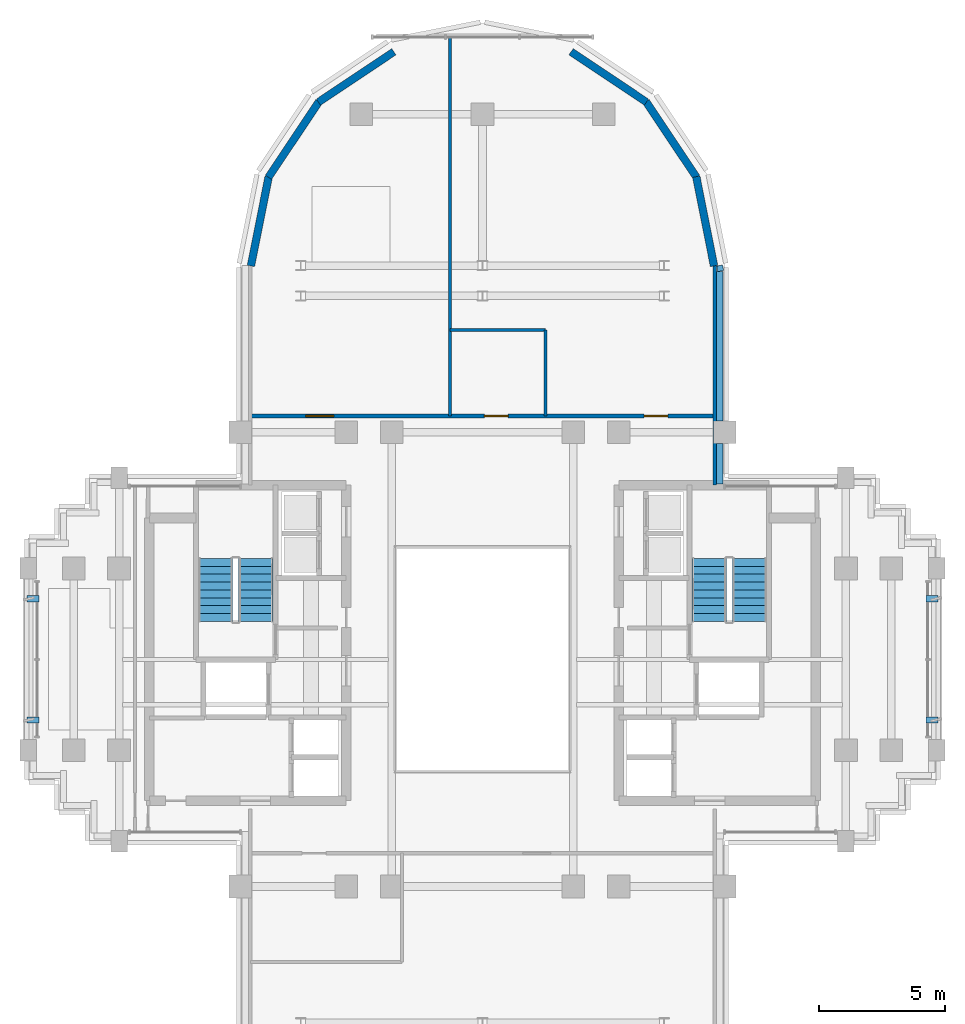
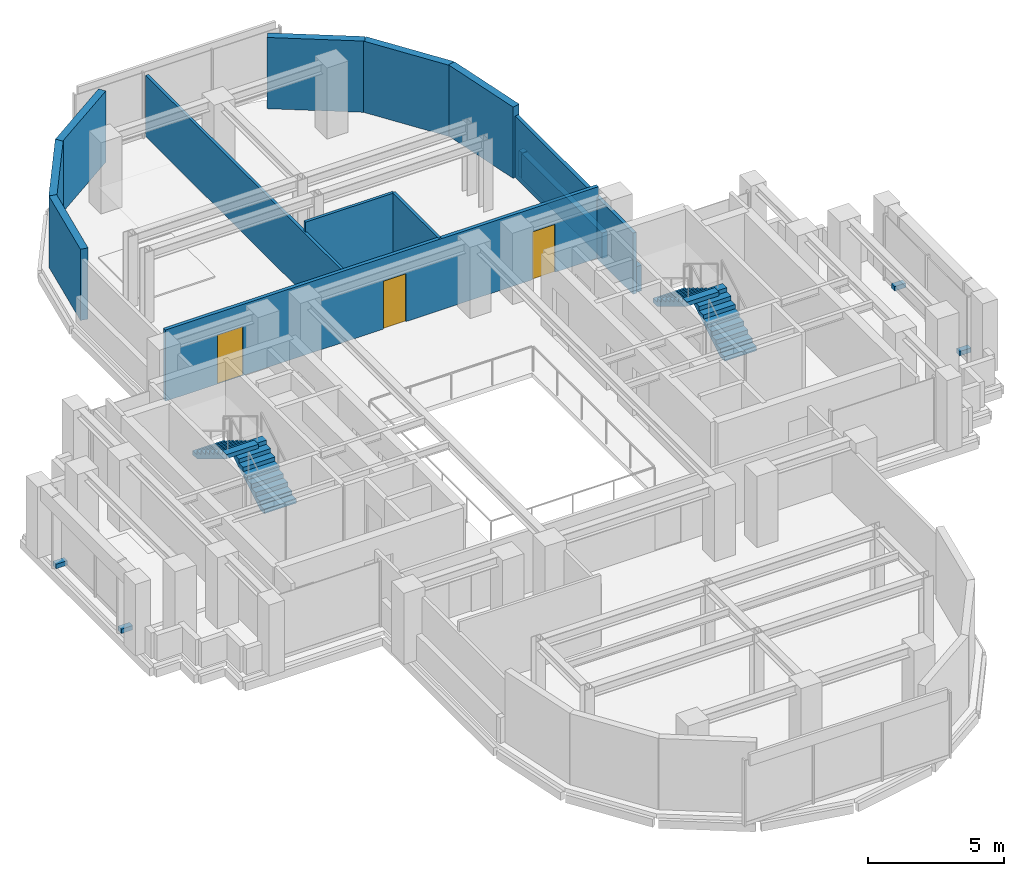
# One storey, part 8 of 12: 14 walls, 4 discrete accessories, 4 stair flights, 3 doors, 3 openings, 2 elements without a shape of their own.
"""IFC4 building model written with IfcOpenShell, lengths in metres."""

from ifc_helpers import new_model, si_unit, direction, frame, frame_2d, origin, origin_2d, place, context, subcontext, project, spatial, polyline, rectangle, outline, extrude, source, transform, mapped, material, layer, layer_set, type_object, element, fill, aggregate, save


model = new_model("IFC4")

# Units and contexts
model_context = context("Model", 3, precision=1e-05, world=origin(), true_north=direction((0.0, 1.0)))
body_context = subcontext(model_context, "Body", "Model", "MODEL_VIEW")
ifc_project = project(units=[si_unit("LENGTHUNIT", "METRE"), si_unit("AREAUNIT", "SQUARE_METRE"), si_unit("VOLUMEUNIT", "CUBIC_METRE"), si_unit("PLANEANGLEUNIT", "RADIAN"), si_unit("MASSUNIT", "GRAM", prefix="KILO")], contexts=[model_context])

# Site, building, storey
site_placement = place(None, origin())
site = spatial("IfcSite", under=ifc_project, at=site_placement, CompositionType="ELEMENT")
building_placement = place(site_placement, origin())
building = spatial("IfcBuilding", under=site, at=building_placement, Name="Keilestroom Media Tower", CompositionType="ELEMENT")
storey_placement = place(building_placement, frame((0.0, 0.0, 177.39990234375)))
storey = spatial("IfcBuildingStorey", under=building, at=storey_placement, Name="L48", CompositionType="ELEMENT", Elevation=177.39990234375)

# Walls
ifc_material_1 = material(Name="Precast concrete C40/50", Category="concrete")
ifc_layer_1 = layer(ifc_material_1, 0.300048828125)
ifc_layer_set_1 = layer_set([ifc_layer_1], Name="Precast concrete C40/50")
wall_type_1 = type_object("IfcWallType", Name="Exterior-Masonry-Spandrel-Wall-300", PredefinedType="SOLIDWALL", material=ifc_layer_set_1)
for number, where, z_axis, x_axis, name in (
    (1, (9.1748046875, 15.585205078125, 0.0), (0.0, 0.0, 1.0), (-0.195114232679, 0.980780523974, 0.0), "L48 Lobe Facet Precast Frame Wall 01"),
    (2, (8.48193359375, 19.097412109375, 0.0), (0.0, 0.0, 1.0), (-0.555574187116, 0.831466970246, 0.0), "L48 Lobe Facet Precast Frame Wall 02"),
):
    element("IfcWall", number, at=place(storey_placement, frame(where, z_axis=z_axis, x_axis=x_axis)), inside=storey, type_object=wall_type_1, Name=name, PredefinedType="SOLIDWALL", context=body_context, shape_type="SweptSolid", body=[
        extrude(rectangle(XDim=3.608642578125, YDim=0.300048828125, at=frame_2d((1.80419921875, 0.0))), origin(), (0.0, 0.0, 1.0), 3.2001953125),
    ])
for number, where, z_axis, x_axis, name in (
    (3, (6.497802734375, 22.0771484375, 0.0), (0.0, 0.0, 1.0), (-0.8314749531, 0.555562239868, 0.0), "L48 Lobe Facet Precast Frame Wall 03"),
    (4, (-3.510009765625, 24.073486328125, 0.0), (0.0, 0.0, 1.0), (-0.8314749531, -0.555562239868, 0.0), "L48 Lobe Facet Precast Frame Wall 04"),
):
    element("IfcWall", number, at=place(storey_placement, frame(where, z_axis=z_axis, x_axis=x_axis)), inside=storey, type_object=wall_type_1, Name=name, PredefinedType="SOLIDWALL", context=body_context, shape_type="SweptSolid", body=[
        extrude(rectangle(XDim=3.59326171875, YDim=0.300048828125, at=frame_2d((1.796630859375, 0.0))), origin(), (0.0, 0.0, 1.0), 3.2001953125),
    ])
for number, where, z_axis, x_axis, name in (
    (5, (-6.47705078125, 22.097900390625, 0.0), (0.0, 0.0, 1.0), (-0.555574187116, -0.831466970246, 0.0), "L48 Lobe Facet Precast Frame Wall 05"),
    (6, (-8.470703125, 19.12451171875, 0.0), (0.0, 0.0, 1.0), (-0.195114232679, -0.980780523974, 0.0), "L48 Lobe Facet Precast Frame Wall 06"),
):
    element("IfcWall", number, at=place(storey_placement, frame(where, z_axis=z_axis, x_axis=x_axis)), inside=storey, type_object=wall_type_1, Name=name, PredefinedType="SOLIDWALL", context=body_context, shape_type="SweptSolid", body=[
        extrude(rectangle(XDim=3.608642578125, YDim=0.300048828125, at=frame_2d((1.80419921875, 0.0))), origin(), (0.0, 0.0, 1.0), 3.2001953125),
    ])
ifc_material_2 = material(Name="Gypsum Plasterboard & Steel Stud", Category="steel")
ifc_layer_2 = layer(ifc_material_2, 0.1201171875)
ifc_layer_set_2 = layer_set([ifc_layer_2], Name="Gypsum Plasterboard & Steel Stud")
wall_type_2 = type_object("IfcWallType", Name="Interior-Partition-Wall-120", PredefinedType="PARTITIONING", material=ifc_layer_set_2)
wall_1_placement = place(storey_placement, frame((-1.280029296875, 9.639892578125, 0.0), z_axis=(0.0, 0.0, 1.0), x_axis=(0.0, 1.0, 0.0)))
element("IfcWall", 7, at=wall_1_placement, inside=storey, type_object=wall_type_2, Name="L48 Interior Wall WP-L48-NL-V1", PredefinedType="PARTITIONING", context=body_context, shape_type="SweptSolid", body=[
    extrude(rectangle(XDim=15.010009765625, YDim=0.1201171875, at=frame_2d((7.5048828125, 0.0))), origin(), (0.0, 0.0, 1.0), 2.75),
])
wall_2_placement = place(storey_placement, frame((-1.280029296875, 13.0400390625, 0.0), z_axis=(0.0, 0.0, 1.0), x_axis=(1.0, 0.0, 0.0)))
element("IfcWall", 8, at=wall_2_placement, inside=storey, type_object=wall_type_2, Name="L48 Interior Wall WP-L48-NL-WC-N", PredefinedType="PARTITIONING", context=body_context, shape_type="SweptSolid", body=[
    extrude(rectangle(XDim=3.780029296875, YDim=0.1201171875, at=frame_2d((1.89013671875, 0.0))), origin(), (0.0, 0.0, 1.0), 3.2001953125),
])
wall_3_placement = place(storey_placement, frame((2.5, 9.639892578125, 0.0), z_axis=(0.0, 0.0, 1.0), x_axis=(0.0, 1.0, 0.0)))
element("IfcWall", 9, at=wall_3_placement, inside=storey, type_object=wall_type_2, Name="L48 Interior Wall WP-L48-NL-WC-E", PredefinedType="PARTITIONING", context=body_context, shape_type="SweptSolid", body=[
    extrude(rectangle(XDim=3.400146484375, YDim=0.1201171875, at=frame_2d((1.7001953125, 0.0))), origin(), (0.0, 0.0, 1.0), 3.2001953125),
])

# Wall, openings, doors
ifc_layer_3 = layer(ifc_material_2, 0.14990234375)
ifc_layer_set_3 = layer_set([ifc_layer_3], Name="Gypsum Plasterboard & Steel Stud")
wall_type_3 = type_object("IfcWallType", Name="Interior-Partition-Wall-150", PredefinedType="PARTITIONING", material=ifc_layer_set_3)
wall_4_placement = place(storey_placement, frame((-9.199951171875, 9.639892578125, 0.0), z_axis=(0.0, 0.0, 1.0), x_axis=(1.0, 0.0, 0.0)))
wall_4 = element("IfcWall", 10, at=wall_4_placement, inside=storey, type_object=wall_type_3, Name="L48 Interior Wall WP-L48-NL-BASE", PredefinedType="PARTITIONING", context=body_context, shape_type="SweptSolid", body=[
    extrude(rectangle(XDim=18.39990234375, YDim=0.14990234375, at=frame_2d((9.199951171875, 0.0))), origin(), (0.0, 0.0, 1.0), 3.2001953125),
])
opening_1_placement = place(wall_4_placement, frame((9.27001953125, 0.0, 0.0)))
opening_1 = element("IfcOpeningElement", 11, at=opening_1_placement, cuts=wall_4, Name="Opening DI-03", PredefinedType="OPENING", context=body_context, shape_type="SweptSolid", body=[
    extrude(rectangle(XDim=0.949951171875, YDim=2.14990234375, at=frame_2d((0.47509765625, 1.074951171875))), frame((0.0, 0.0849609375, 0.0), z_axis=(0.0, -1.0, 0.0), x_axis=(1.0, 0.0, 0.0)), (0.0, 0.0, 1.0), 0.169921875),
])
opening_2_placement = place(wall_4_placement, frame((2.199951171875, 0.0, 0.0)))
opening_2 = element("IfcOpeningElement", 12, at=opening_2_placement, cuts=wall_4, Name="Opening DI-04", PredefinedType="OPENING", context=body_context, shape_type="SweptSolid", body=[
    extrude(rectangle(XDim=1.10009765625, YDim=2.199951171875, at=frame_2d((0.550048828125, 1.10009765625))), frame((0.0, 0.0849609375, 0.0), z_axis=(0.0, -1.0, 0.0), x_axis=(1.0, 0.0, 0.0)), (0.0, 0.0, 1.0), 0.169921875),
])
opening_3_placement = place(wall_4_placement, frame((15.60009765625, 0.0, 0.0)))
opening_3 = element("IfcOpeningElement", 13, at=opening_3_placement, cuts=wall_4, Name="Opening DI-03", PredefinedType="OPENING", context=body_context, shape_type="SweptSolid", body=[
    extrude(rectangle(XDim=0.949951171875, YDim=2.14990234375, at=frame_2d((0.47509765625, 1.074951171875))), frame((0.0, 0.0849609375, 0.0), z_axis=(0.0, -1.0, 0.0), x_axis=(1.0, 0.0, 0.0)), (0.0, 0.0, 1.0), 0.169921875),
])
ifc_material_3 = material(Name="Lacquered European Oak Leaf", Category="wood")
door_type_1 = type_object("IfcDoorType", Name="Interior-Room-And-Suite-Door-DI-03", OperationType="NOTDEFINED", PredefinedType="DOOR", material=ifc_material_3)
shared_shape_1 = source(origin(), body_context, "Body", "SweptSolid", [
    extrude(rectangle(XDim=0.949951171875, YDim=2.14990234375, at=frame_2d((0.47509765625, 1.074951171875))), frame((0.0, 0.02490234375, 0.0), z_axis=(0.0, -1.0, 0.0), x_axis=(1.0, 0.0, 0.0)), (0.0, 0.0, 1.0), 0.050048828125),
])
door_1_placement = place(opening_1_placement, origin())
door_1 = element("IfcDoor", 14, at=door_1_placement, inside=storey, type_object=door_type_1, Name="L48 Interior Door DI-L48-DNL-WC", OperationType="SINGLE_SWING_LEFT", OverallHeight=2.14990234375, OverallWidth=0.949951171875, PredefinedType="DOOR", context=body_context, shape_type="MappedRepresentation", body=[
    mapped(shared_shape_1, transform((0.0, 0.0, 0.0), x_axis=(1.0, 0.0, 0.0), y_axis=(0.0, 1.0, 0.0), z_axis=(0.0, 0.0, 1.0), scale=1.0)),
])
fill(opening_1, door_1)
door_2_placement = place(opening_3_placement, origin())
door_2 = element("IfcDoor", 15, at=door_2_placement, inside=storey, type_object=door_type_1, Name="L48 Interior Door DI-L48-DNL-B", OperationType="SINGLE_SWING_LEFT", OverallHeight=2.14990234375, OverallWidth=0.949951171875, PredefinedType="DOOR", context=body_context, shape_type="MappedRepresentation", body=[
    mapped(shared_shape_1, transform((0.0, 0.0, 0.0), x_axis=(1.0, 0.0, 0.0), y_axis=(0.0, 1.0, 0.0), z_axis=(0.0, 0.0, 1.0), scale=1.0)),
])
fill(opening_3, door_2)
ifc_material_4 = material(Name="Acoustic Glazed Aluminium Leaf", Category="aluminium")
door_type_2 = type_object("IfcDoorType", Name="Interior-Room-And-Suite-Door-DI-04", OperationType="NOTDEFINED", PredefinedType="DOOR", material=ifc_material_4)
shared_shape_2 = source(origin(), body_context, "Body", "SweptSolid", [
    extrude(rectangle(XDim=1.10009765625, YDim=2.199951171875, at=frame_2d((0.550048828125, 1.10009765625))), frame((0.0, 0.02490234375, 0.0), z_axis=(0.0, -1.0, 0.0), x_axis=(1.0, 0.0, 0.0)), (0.0, 0.0, 1.0), 0.050048828125),
])
door_3_placement = place(opening_2_placement, origin())
door_3 = element("IfcDoor", 16, at=door_3_placement, inside=storey, type_object=door_type_2, Name="L48 Interior Door DI-L48-DNL-A", OperationType="SINGLE_SWING_RIGHT", OverallHeight=2.199951171875, OverallWidth=1.10009765625, PredefinedType="DOOR", context=body_context, shape_type="MappedRepresentation", body=[
    mapped(shared_shape_2, transform((0.0, 0.0, 0.0), x_axis=(1.0, 0.0, 0.0), y_axis=(0.0, 1.0, 0.0), z_axis=(0.0, 0.0, 1.0), scale=1.0)),
])
fill(opening_2, door_3)

# Walls
wall_5_placement = place(storey_placement, frame((9.199951171875, 6.89990234375, 0.0), z_axis=(0.0, 0.0, 1.0), x_axis=(0.0, 1.0, 0.0)))
element("IfcWall", 17, at=wall_5_placement, inside=storey, type_object=wall_type_3, Name="L48 Interior Wall WP-L48-NL-CHKE", PredefinedType="PARTITIONING", context=body_context, shape_type="SweptSolid", body=[
    extrude(rectangle(XDim=8.780029296875, YDim=0.14990234375, at=frame_2d((4.39013671875, 0.0))), origin(), (0.0, 0.0, 1.0), 2.75),
])
ifc_layer_4 = layer(ifc_material_1, 0.239990234375)
ifc_layer_set_4 = layer_set([ifc_layer_4], Name="Precast concrete C40/50")
wall_type_4 = type_object("IfcWallType", Name="Roof-And-Terrace-Parapet-Wall-240", PredefinedType="PARAPET", material=ifc_layer_set_4)
wall_6_placement = place(storey_placement, frame((9.395263671875, 15.604248046875, 0.0), z_axis=(0.0, 0.0, 1.0), x_axis=(0.194652052864, -0.980872355771, 0.0)))
element("IfcWall", 18, at=wall_6_placement, inside=storey, type_object=wall_type_4, Name="L48 Perimeter Edge Parapet Wall 26", PredefinedType="PARAPET", context=body_context, shape_type="SweptSolid", body=[
    extrude(rectangle(XDim=0.224609375, YDim=0.239990234375, at=frame_2d((0.1123046875, 0.0))), origin(), (0.0, 0.0, 1.0), 1.150146484375),
])
wall_7_placement = place(storey_placement, frame((9.39990234375, 15.357666015625, 0.0), z_axis=(0.0, 0.0, 1.0), x_axis=(0.0, -1.0, 0.0)))
element("IfcWall", 19, at=wall_7_placement, inside=storey, type_object=wall_type_4, Name="L48 Perimeter Edge Parapet Wall 27", PredefinedType="PARAPET", context=body_context, shape_type="SweptSolid", body=[
    extrude(rectangle(XDim=5.90478515625, YDim=0.239990234375, at=frame_2d((2.952392578125, 0.0))), origin(), (0.0, 0.0, 1.0), 1.150146484375),
])
wall_8_placement = place(storey_placement, frame((9.39990234375, 8.547119140625, 0.0), z_axis=(0.0, 0.0, 1.0), x_axis=(0.0, -1.0, 0.0)))
element("IfcWall", 20, at=wall_8_placement, inside=storey, type_object=wall_type_4, Name="L48 Perimeter Edge Parapet Wall 28", PredefinedType="PARAPET", context=body_context, shape_type="SweptSolid", body=[
    extrude(rectangle(XDim=1.59423828125, YDim=0.239990234375, at=frame_2d((0.797119140625, 0.0))), origin(), (0.0, 0.0, 1.0), 1.150146484375),
])

# Stair, stair flights
ifc_material_5 = material(Name="Concrete C45/55", Category="concrete")
stair_type = type_object("IfcStairType", Name="Enclosed-Dog-Leg-Stair-ST-CORE", PredefinedType="HALF_TURN_STAIR", material=ifc_material_5)
stair_1_placement = place(storey_placement, origin())
stair_1 = element("IfcStair", 21, at=stair_1_placement, inside=storey, type_object=stair_type, Name="L48 West Core Escape Stair ST-1", PredefinedType="HALF_TURN_STAIR")
stair_flight_type = type_object("IfcStairFlightType", Name="Precast-Concrete-Stair-Flight-Core-160", PredefinedType="STRAIGHT", material=ifc_material_1)
stair_flight_1_placement = place(storey_placement, frame((-8.97998046875, 1.5, 0.0), z_axis=(0.0, 0.0, 1.0), x_axis=(0.0, 1.0, 0.0)))
stair_flight_1 = element("IfcStairFlight", 22, at=stair_flight_1_placement, type_object=stair_flight_type, Name="ST-1 flight 1", NumberOfRisers=9, NumberOfTreads=8, PredefinedType="STRAIGHT", RiserHeight=0.188888889, TreadLength=0.312, context=body_context, shape_type="SweptSolid", body=[
    extrude(outline(polyline([(0.0, 0.0), (0.0, 0.18896484375), (0.31201171875, 0.18896484375), (0.31201171875, 0.377685546875), (0.6240234375, 0.377685546875), (0.6240234375, 0.566650390625), (0.93603515625, 0.566650390625), (0.93603515625, 0.755615234375), (1.248046875, 0.755615234375), (1.248046875, 0.9443359375), (1.56005859375, 0.9443359375), (1.56005859375, 1.13330078125), (1.8720703125, 1.13330078125), (1.8720703125, 1.322265625), (2.18408203125, 1.322265625), (2.18408203125, 1.51123046875), (2.49609375, 1.51123046875), (2.49609375, 1.699951171875), (2.49609375, 1.32421875), (0.308837890625, 0.0), (0.0, 0.0)])), frame((0.0, 0.68017578125, 0.0), z_axis=(0.0, -1.0, 0.0), x_axis=(1.0, 0.0, 0.0)), (0.0, 0.0, 1.0), 1.360107421875),
])
stair_flight_2_placement = place(storey_placement, frame((-10.580078125, 3.99609375, 1.7001953125), z_axis=(0.0, 0.0, 1.0), x_axis=(0.0, -1.0, 0.0)))
stair_flight_2 = element("IfcStairFlight", 23, at=stair_flight_2_placement, type_object=stair_flight_type, Name="ST-1 flight 2", NumberOfRisers=9, NumberOfTreads=8, PredefinedType="STRAIGHT", RiserHeight=0.188888889, TreadLength=0.312, context=body_context, shape_type="SweptSolid", body=[
    extrude(outline(polyline([(0.0, 0.0), (0.0, 0.18896484375), (0.31201171875, 0.18896484375), (0.31201171875, 0.377685546875), (0.6240234375, 0.377685546875), (0.6240234375, 0.566650390625), (0.93603515625, 0.566650390625), (0.93603515625, 0.755615234375), (1.248046875, 0.755615234375), (1.248046875, 0.9443359375), (1.56005859375, 0.9443359375), (1.56005859375, 1.13330078125), (1.8720703125, 1.13330078125), (1.8720703125, 1.322265625), (2.18408203125, 1.322265625), (2.18408203125, 1.51123046875), (2.49609375, 1.51123046875), (2.49609375, 1.699951171875), (2.49609375, 1.32421875), (0.308837890625, 0.0), (0.0, 0.0)])), frame((0.0, 0.68017578125, 0.0), z_axis=(0.0, -1.0, 0.0), x_axis=(1.0, 0.0, 0.0)), (0.0, 0.0, 1.0), 1.360107421875),
])
aggregate(stair_1, [stair_flight_1, stair_flight_2])

stair_2_placement = place(storey_placement, origin())
stair_2 = element("IfcStair", 24, at=stair_2_placement, inside=storey, type_object=stair_type, Name="L48 East Core Escape Stair ST-2", PredefinedType="HALF_TURN_STAIR")
stair_flight_3_placement = place(storey_placement, frame((10.580078125, 1.5, 0.0), z_axis=(0.0, 0.0, 1.0), x_axis=(0.0, 1.0, 0.0)))
stair_flight_3 = element("IfcStairFlight", 25, at=stair_flight_3_placement, type_object=stair_flight_type, Name="ST-2 flight 1", NumberOfRisers=9, NumberOfTreads=8, PredefinedType="STRAIGHT", RiserHeight=0.188888889, TreadLength=0.312, context=body_context, shape_type="SweptSolid", body=[
    extrude(outline(polyline([(0.0, 0.0), (0.0, 0.18896484375), (0.31201171875, 0.18896484375), (0.31201171875, 0.377685546875), (0.6240234375, 0.377685546875), (0.6240234375, 0.566650390625), (0.93603515625, 0.566650390625), (0.93603515625, 0.755615234375), (1.248046875, 0.755615234375), (1.248046875, 0.9443359375), (1.56005859375, 0.9443359375), (1.56005859375, 1.13330078125), (1.8720703125, 1.13330078125), (1.8720703125, 1.322265625), (2.18408203125, 1.322265625), (2.18408203125, 1.51123046875), (2.49609375, 1.51123046875), (2.49609375, 1.699951171875), (2.49609375, 1.32421875), (0.308837890625, 0.0), (0.0, 0.0)])), frame((0.0, 0.68017578125, 0.0), z_axis=(0.0, -1.0, 0.0), x_axis=(1.0, 0.0, 0.0)), (0.0, 0.0, 1.0), 1.360107421875),
])
stair_flight_4_placement = place(storey_placement, frame((8.97998046875, 3.99609375, 1.7001953125), z_axis=(0.0, 0.0, 1.0), x_axis=(0.0, -1.0, 0.0)))
stair_flight_4 = element("IfcStairFlight", 26, at=stair_flight_4_placement, type_object=stair_flight_type, Name="ST-2 flight 2", NumberOfRisers=9, NumberOfTreads=8, PredefinedType="STRAIGHT", RiserHeight=0.188888889, TreadLength=0.312, context=body_context, shape_type="SweptSolid", body=[
    extrude(outline(polyline([(0.0, 0.0), (0.0, 0.18896484375), (0.31201171875, 0.18896484375), (0.31201171875, 0.377685546875), (0.6240234375, 0.377685546875), (0.6240234375, 0.566650390625), (0.93603515625, 0.566650390625), (0.93603515625, 0.755615234375), (1.248046875, 0.755615234375), (1.248046875, 0.9443359375), (1.56005859375, 0.9443359375), (1.56005859375, 1.13330078125), (1.8720703125, 1.13330078125), (1.8720703125, 1.322265625), (2.18408203125, 1.322265625), (2.18408203125, 1.51123046875), (2.49609375, 1.51123046875), (2.49609375, 1.699951171875), (2.49609375, 1.32421875), (0.308837890625, 0.0), (0.0, 0.0)])), frame((0.0, 0.68017578125, 0.0), z_axis=(0.0, -1.0, 0.0), x_axis=(1.0, 0.0, 0.0)), (0.0, 0.0, 1.0), 1.360107421875),
])
aggregate(stair_2, [stair_flight_3, stair_flight_4])

# Discrete accessories
ifc_material_6 = material(Name="Stainless Steel 1.4401", Category="steel")
discrete_accessory_type = type_object("IfcDiscreteAccessoryType", Name="Facade-Fin-Fixing-Bracket-BRK-1", PredefinedType="BRACKET", material=ifc_material_6)
shared_shape_3 = source(origin(), body_context, "Body", "SweptSolid", [
    extrude(rectangle(XDim=0.47998046875, YDim=0.239990234375, at=origin_2d()), origin(), (0.0, 0.0, 1.0), 0.199951171875),
])
for number, where, z_axis, x_axis, name in (
    (27, (-17.81005859375, -2.39990234375, -0.009765625), (0.0, 0.0, 1.0), (1.0, 0.0, 0.0), "L48 Sunshade Fin Bracket BRK-1 065"),
    (28, (-17.81005859375, 2.39990234375, -0.009765625), (0.0, 0.0, 1.0), (1.0, 0.0, 0.0), "L48 Sunshade Fin Bracket BRK-1 066"),
    (29, (17.81005859375, -2.39990234375, -0.009765625), (0.0, 0.0, 1.0), (1.0, 0.0, 0.0), "L48 Sunshade Fin Bracket BRK-1 067"),
    (30, (17.81005859375, 2.39990234375, -0.009765625), (0.0, 0.0, 1.0), (1.0, 0.0, 0.0), "L48 Sunshade Fin Bracket BRK-1 068"),
):
    element("IfcDiscreteAccessory", number, at=place(storey_placement, frame(where, z_axis=z_axis, x_axis=x_axis)), inside=storey, type_object=discrete_accessory_type, Name=name, PredefinedType="BRACKET", context=body_context, shape_type="MappedRepresentation", body=[
        mapped(shared_shape_3, transform((0.0, 0.0, 0.0), x_axis=(1.0, 0.0, 0.0), y_axis=(0.0, 1.0, 0.0), z_axis=(0.0, 0.0, 1.0), scale=1.0)),
    ])

save(model, "model.ifc")
